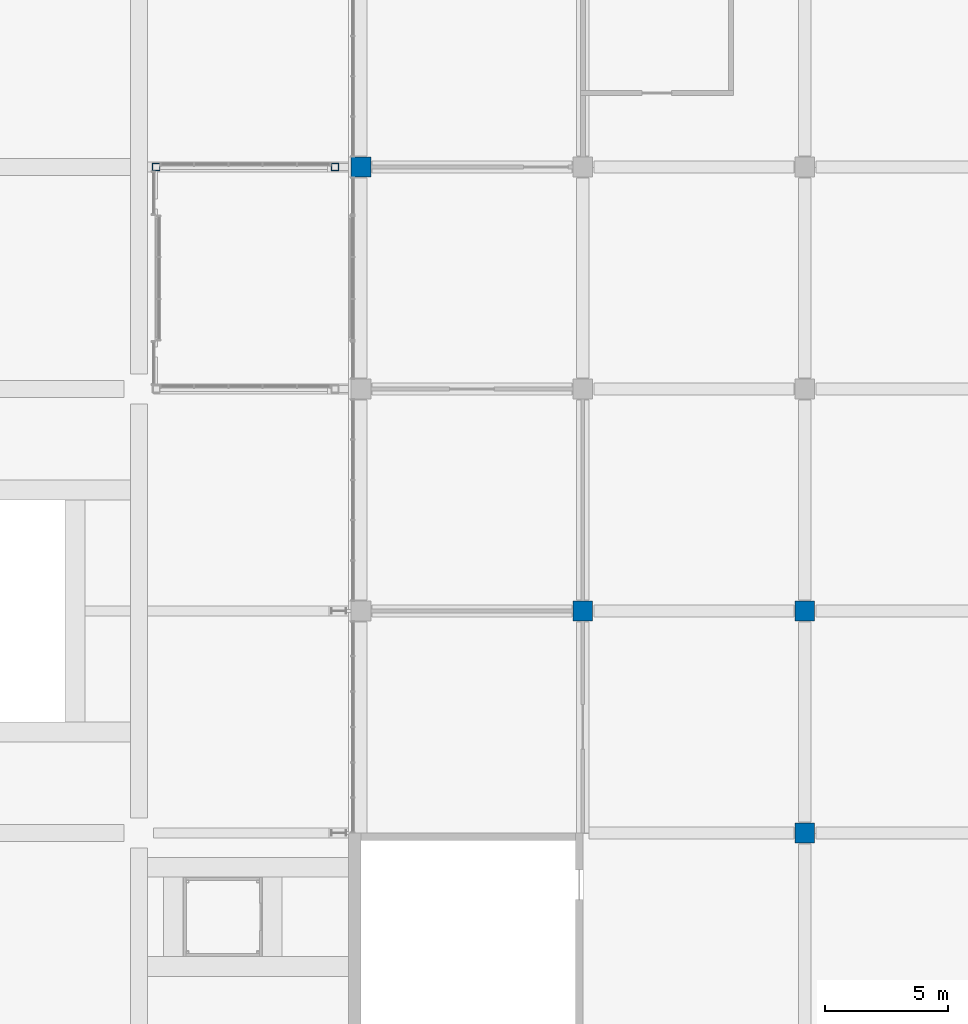
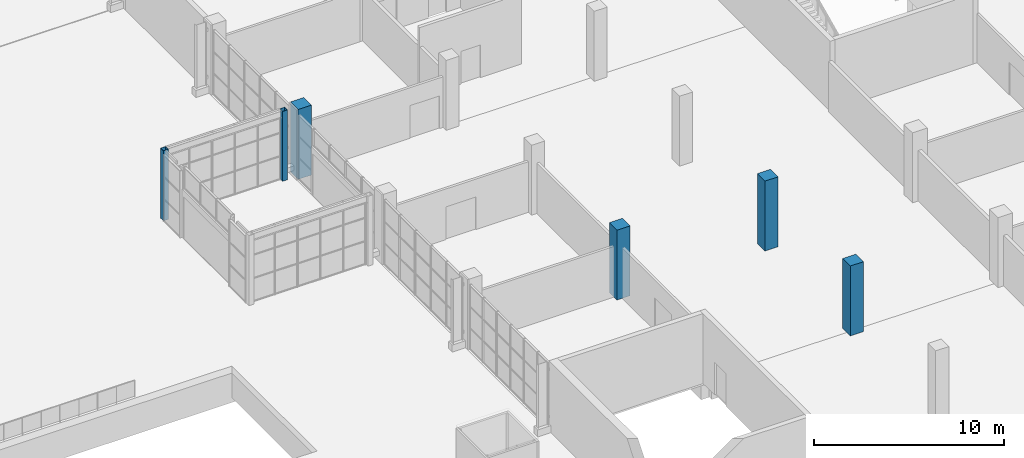
# One storey, part 3 of 168: 6 columns.
"""IFC4 building model written with IfcOpenShell, lengths in metres."""

from ifc_helpers import new_model, si_unit, direction, frame, origin, origin_2d, place, context, subcontext, project, spatial, rectangle, hollow_rectangle, extrude, material, material_profile, profile_set, type_object, element, save


model = new_model("IFC4")

# Units and contexts
model_context = context("Model", 3, precision=1e-05, world=origin(), true_north=direction((0.0, 1.0)))
body_context = subcontext(model_context, "Body", "Model", "MODEL_VIEW")
ifc_project = project(units=[si_unit("LENGTHUNIT", "METRE"), si_unit("AREAUNIT", "SQUARE_METRE"), si_unit("VOLUMEUNIT", "CUBIC_METRE"), si_unit("PLANEANGLEUNIT", "RADIAN"), si_unit("MASSUNIT", "GRAM", prefix="KILO")], contexts=[model_context])

# Site, building, storey
site_placement = place(None, origin())
site = spatial("IfcSite", under=ifc_project, at=site_placement, CompositionType="ELEMENT")
building_placement = place(site_placement, origin())
building = spatial("IfcBuilding", under=site, at=building_placement, Name="Silverbay Arena", CompositionType="ELEMENT")
storey_placement = place(building_placement, frame((0.0, 0.0, 7.0)))
storey = spatial("IfcBuildingStorey", under=building, at=storey_placement, Name="L01", CompositionType="ELEMENT", Elevation=7.0)

# Columns
ifc_material_1 = material(Name="Steel S355", Category="steel")
ifc_material_profile_1 = material_profile(ifc_material_1, hollow_rectangle(XDim=0.300048828125, YDim=0.300048828125, WallThickness=0.012451171875, at=origin_2d()), Name="SHS 300x300x12.5")
ifc_profile_set_1 = profile_set([ifc_material_profile_1], Name="Steel S355")
column_type_1 = type_object("IfcColumnType", Name="Hall column SHS 300x300x12.5", PredefinedType="COLUMN", material=ifc_profile_set_1)
for number, where, z_axis, x_axis, name in (
    (1, (18.699951171875, 63.0, 0.0), (0.0, 0.0, 1.0), (1.0, 0.0, 0.0), "West entrance hall W0 column F2"),
    (2, (25.949951171875, 63.0, 0.0), (0.0, 0.0, 1.0), (1.0, 0.0, 0.0), "West entrance hall W0 column B2"),
):
    element("IfcColumn", number, at=place(storey_placement, frame(where, z_axis=z_axis, x_axis=x_axis)), inside=storey, type_object=column_type_1, Name=name, PredefinedType="COLUMN", context=body_context, shape_type="SweptSolid", body=[
        extrude(hollow_rectangle(XDim=0.300048828125, YDim=0.300048828125, WallThickness=0.012451171875, at=origin_2d()), origin(), (0.0, 0.0, 1.0), 4.5),
    ])
ifc_material_2 = material(Name="Concrete Grade C45", Category="concrete")
ifc_material_profile_2 = material_profile(ifc_material_2, rectangle(XDim=0.800048828125, YDim=0.800048828125, at=origin_2d()), Name="RC 800x800")
ifc_profile_set_2 = profile_set([ifc_material_profile_2], Name="Concrete Grade C45")
column_type_2 = type_object("IfcColumnType", Name="RC column 800x800", PredefinedType="COLUMN", material=ifc_profile_set_2)
for number, where, z_axis, x_axis, name in (
    (3, (27.0, 63.0, 0.0), (0.0, 0.0, 1.0), (1.0, 0.0, 0.0), "Column 4/H L01"),
    (4, (36.0, 45.0, 0.0), (0.0, 0.0, 1.0), (1.0, 0.0, 0.0), "Column 5/F L01"),
    (5, (45.0, 36.0, 0.0), (0.0, 0.0, 1.0), (1.0, 0.0, 0.0), "Column 6/E L01"),
    (6, (45.0, 45.0, 0.0), (0.0, 0.0, 1.0), (1.0, 0.0, 0.0), "Column 6/F L01"),
):
    element("IfcColumn", number, at=place(storey_placement, frame(where, z_axis=z_axis, x_axis=x_axis)), inside=storey, type_object=column_type_2, Name=name, PredefinedType="COLUMN", context=body_context, shape_type="SweptSolid", body=[
        extrude(rectangle(XDim=0.800048828125, YDim=0.800048828125, at=origin_2d()), origin(), (0.0, 0.0, 1.0), 4.5),
    ])

save(model, "model.ifc")
